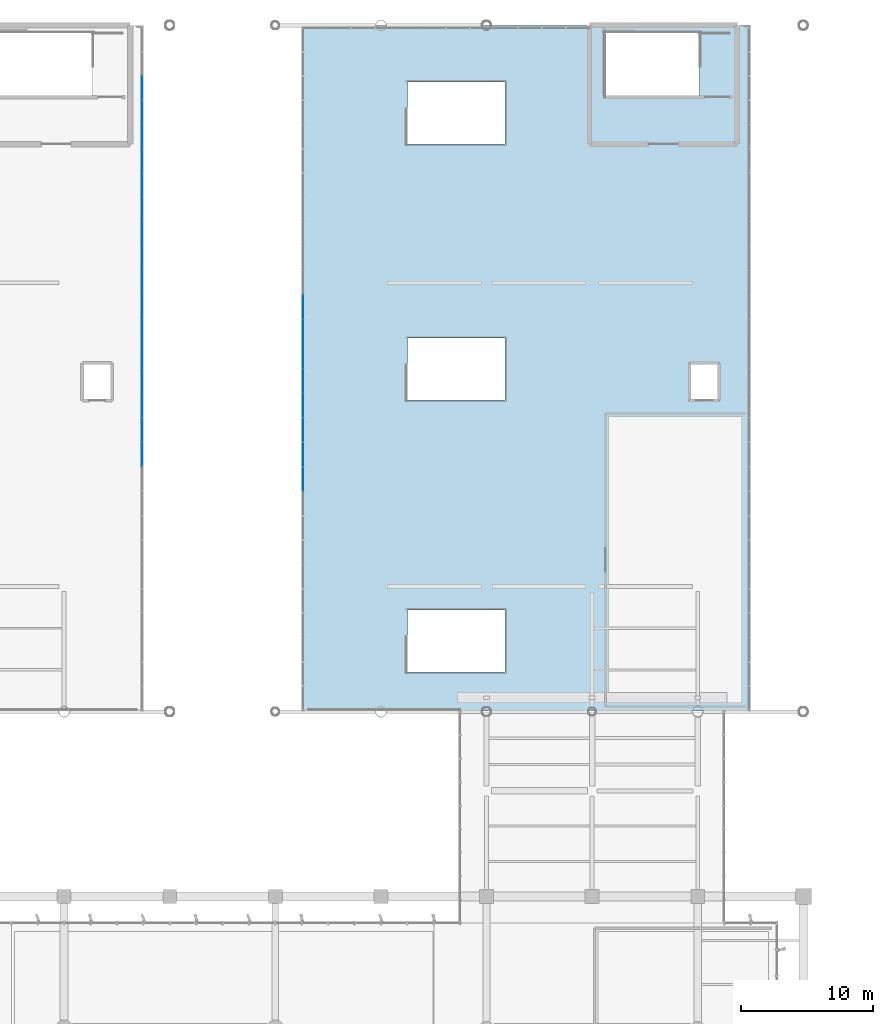
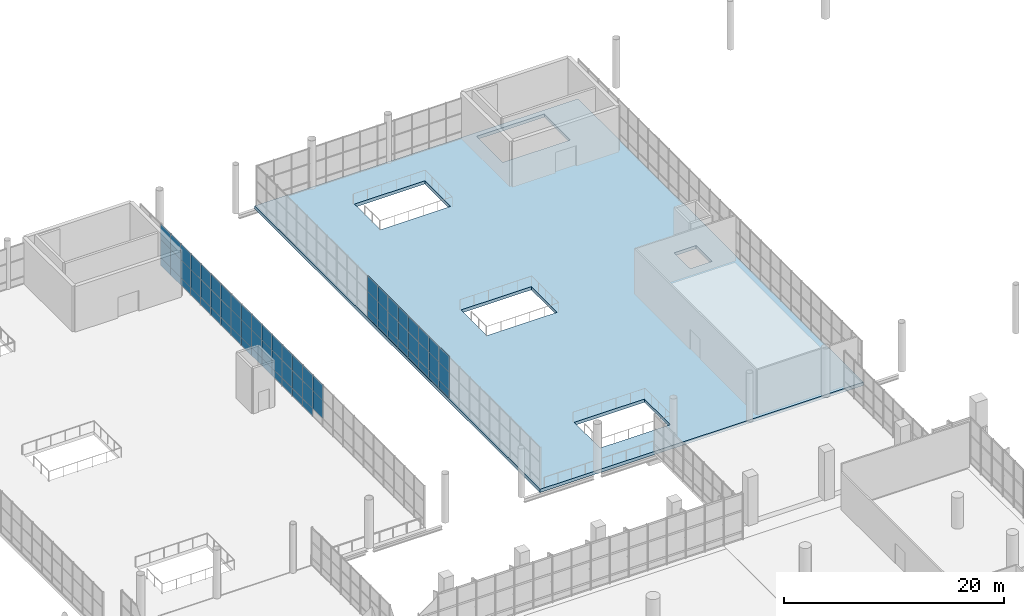
# One storey, part 133 of 176: 71 plates, 1 slab, 5 elements without a shape of their own.
"""IFC4 building model written with IfcOpenShell, lengths in metres."""

from ifc_helpers import new_model, si_unit, direction, frame, origin, origin_2d, place, context, subcontext, project, spatial, polyline, rectangle, outline, extrude, material, layer, layer_set, type_object, element, aggregate, save


model = new_model("IFC4")

# Units and contexts
model_context = context("Model", 3, precision=1e-05, world=origin(), true_north=direction((0.0, 1.0)))
body_context = subcontext(model_context, "Body", "Model", "MODEL_VIEW")
ifc_project = project(units=[si_unit("LENGTHUNIT", "METRE"), si_unit("AREAUNIT", "SQUARE_METRE"), si_unit("VOLUMEUNIT", "CUBIC_METRE"), si_unit("PLANEANGLEUNIT", "RADIAN"), si_unit("MASSUNIT", "GRAM", prefix="KILO")], contexts=[model_context])

# Site, building, storey
site_placement = place(None, origin())
site = spatial("IfcSite", under=ifc_project, at=site_placement, CompositionType="ELEMENT")
building_placement = place(site_placement, origin())
building = spatial("IfcBuilding", under=site, at=building_placement, Name="Khorjan Park Terminus", CompositionType="ELEMENT")
storey_placement = place(building_placement, frame((0.0, 0.0, 6.0)))
storey = spatial("IfcBuildingStorey", under=building, at=storey_placement, Name="L01", CompositionType="ELEMENT", Elevation=6.0)

# Curtain wall, plates
ifc_material_1 = material(Name="Anodized Bronze Aluminium", Category="aluminium")
ifc_layer_1 = layer(ifc_material_1, 0.22)
ifc_layer_set_1 = layer_set([ifc_layer_1], Name="Anodized Bronze Aluminium")
curtain_wall_type = type_object("IfcCurtainWallType", Name="CW-BRG-D", PredefinedType="NOTDEFINED", material=ifc_layer_set_1)
curtain_wall_1_placement = place(storey_placement, origin())
curtain_wall_1 = element("IfcCurtainWall", 1, at=curtain_wall_1_placement, inside=storey, type_object=curtain_wall_type, Name="Unitized curtain wall CW-D (CW-BRW-E-2)", PredefinedType="NOTDEFINED")
ifc_material_2 = material(Name="Low-E Solar Control Double Glazing", Category="glass")
ifc_layer_2 = layer(ifc_material_2, 0.032)
ifc_layer_set_2 = layer_set([ifc_layer_2], Name="Low-E Solar Control Double Glazing")
plate_type_1 = type_object("IfcPlateType", Name="GL-VIS-32", PredefinedType="CURTAIN_PANEL", material=ifc_layer_set_2)
plate_1_placement = place(storey_placement, frame((85.9, 121.5, 0.85), z_axis=(0.0, 0.0, 1.0), x_axis=(0.0, 1.0, 0.0)))
plate_1 = element("IfcPlate", 2, at=plate_1_placement, type_object=plate_type_1, Name="Curtain-wall panel VP-32 (CW-BRW-E-2-3-2)", PredefinedType="CURTAIN_PANEL", context=body_context, shape_type="SweptSolid", body=[
    extrude(rectangle(XDim=1.8571, YDim=0.032, at=origin_2d()), origin(), (0.0, 0.0, 1.0), 2.002),
])
plate_2_placement = place(storey_placement, frame((85.9, 121.5, 2.852), z_axis=(0.0, 0.0, 1.0), x_axis=(0.0, 1.0, 0.0)))
plate_2 = element("IfcPlate", 3, at=plate_2_placement, type_object=plate_type_1, Name="Curtain-wall panel VP-32 (CW-BRW-E-2-3-3)", PredefinedType="CURTAIN_PANEL", context=body_context, shape_type="SweptSolid", body=[
    extrude(rectangle(XDim=1.8571, YDim=0.032, at=origin_2d()), origin(), (0.0, 0.0, 1.0), 1.758),
])
plate_3_placement = place(storey_placement, frame((85.9, 123.3572, 0.85), z_axis=(0.0, 0.0, 1.0), x_axis=(0.0, 1.0, 0.0)))
plate_3 = element("IfcPlate", 4, at=plate_3_placement, type_object=plate_type_1, Name="Curtain-wall panel VP-32 (CW-BRW-E-2-4-2)", PredefinedType="CURTAIN_PANEL", context=body_context, shape_type="SweptSolid", body=[
    extrude(rectangle(XDim=1.8571, YDim=0.032, at=origin_2d()), origin(), (0.0, 0.0, 1.0), 2.002),
])
plate_4_placement = place(storey_placement, frame((85.9, 123.3572, 2.852), z_axis=(0.0, 0.0, 1.0), x_axis=(0.0, 1.0, 0.0)))
plate_4 = element("IfcPlate", 5, at=plate_4_placement, type_object=plate_type_1, Name="Curtain-wall panel VP-32 (CW-BRW-E-2-4-3)", PredefinedType="CURTAIN_PANEL", context=body_context, shape_type="SweptSolid", body=[
    extrude(rectangle(XDim=1.8571, YDim=0.032, at=origin_2d()), origin(), (0.0, 0.0, 1.0), 1.758),
])
plate_5_placement = place(storey_placement, frame((85.9, 125.2143, 0.85), z_axis=(0.0, 0.0, 1.0), x_axis=(0.0, 1.0, 0.0)))
plate_5 = element("IfcPlate", 6, at=plate_5_placement, type_object=plate_type_1, Name="Curtain-wall panel VP-32 (CW-BRW-E-2-5-2)", PredefinedType="CURTAIN_PANEL", context=body_context, shape_type="SweptSolid", body=[
    extrude(rectangle(XDim=1.8571, YDim=0.032, at=origin_2d()), origin(), (0.0, 0.0, 1.0), 2.002),
])
plate_6_placement = place(storey_placement, frame((85.9, 125.2143, 2.852), z_axis=(0.0, 0.0, 1.0), x_axis=(0.0, 1.0, 0.0)))
plate_6 = element("IfcPlate", 7, at=plate_6_placement, type_object=plate_type_1, Name="Curtain-wall panel VP-32 (CW-BRW-E-2-5-3)", PredefinedType="CURTAIN_PANEL", context=body_context, shape_type="SweptSolid", body=[
    extrude(rectangle(XDim=1.8571, YDim=0.032, at=origin_2d()), origin(), (0.0, 0.0, 1.0), 1.758),
])
plate_7_placement = place(storey_placement, frame((85.9, 127.0714, 0.85), z_axis=(0.0, 0.0, 1.0), x_axis=(0.0, 1.0, 0.0)))
plate_7 = element("IfcPlate", 8, at=plate_7_placement, type_object=plate_type_1, Name="Curtain-wall panel VP-32 (CW-BRW-E-2-6-2)", PredefinedType="CURTAIN_PANEL", context=body_context, shape_type="SweptSolid", body=[
    extrude(rectangle(XDim=1.8571, YDim=0.032, at=origin_2d()), origin(), (0.0, 0.0, 1.0), 2.002),
])
plate_8_placement = place(storey_placement, frame((85.9, 127.0714, 2.852), z_axis=(0.0, 0.0, 1.0), x_axis=(0.0, 1.0, 0.0)))
plate_8 = element("IfcPlate", 9, at=plate_8_placement, type_object=plate_type_1, Name="Curtain-wall panel VP-32 (CW-BRW-E-2-6-3)", PredefinedType="CURTAIN_PANEL", context=body_context, shape_type="SweptSolid", body=[
    extrude(rectangle(XDim=1.8571, YDim=0.032, at=origin_2d()), origin(), (0.0, 0.0, 1.0), 1.758),
])

curtain_wall_2_placement = place(storey_placement, origin())
curtain_wall_2 = element("IfcCurtainWall", 10, at=curtain_wall_2_placement, inside=storey, type_object=curtain_wall_type, Name="Unitized curtain wall CW-D (CW-BRW-E-3)", PredefinedType="NOTDEFINED")
plate_9_placement = place(storey_placement, frame((85.9, 128.9286, 0.85), z_axis=(0.0, 0.0, 1.0), x_axis=(0.0, 1.0, 0.0)))
plate_9 = element("IfcPlate", 11, at=plate_9_placement, type_object=plate_type_1, Name="Curtain-wall panel VP-32 (CW-BRW-E-3-0-2)", PredefinedType="CURTAIN_PANEL", context=body_context, shape_type="SweptSolid", body=[
    extrude(rectangle(XDim=1.8571, YDim=0.032, at=origin_2d()), origin(), (0.0, 0.0, 1.0), 2.002),
])
plate_10_placement = place(storey_placement, frame((85.9, 128.9286, 2.852), z_axis=(0.0, 0.0, 1.0), x_axis=(0.0, 1.0, 0.0)))
plate_10 = element("IfcPlate", 12, at=plate_10_placement, type_object=plate_type_1, Name="Curtain-wall panel VP-32 (CW-BRW-E-3-0-3)", PredefinedType="CURTAIN_PANEL", context=body_context, shape_type="SweptSolid", body=[
    extrude(rectangle(XDim=1.8571, YDim=0.032, at=origin_2d()), origin(), (0.0, 0.0, 1.0), 1.758),
])
plate_11_placement = place(storey_placement, frame((85.9, 130.7857, 0.85), z_axis=(0.0, 0.0, 1.0), x_axis=(0.0, 1.0, 0.0)))
plate_11 = element("IfcPlate", 13, at=plate_11_placement, type_object=plate_type_1, Name="Curtain-wall panel VP-32 (CW-BRW-E-3-1-2)", PredefinedType="CURTAIN_PANEL", context=body_context, shape_type="SweptSolid", body=[
    extrude(rectangle(XDim=1.8571, YDim=0.032, at=origin_2d()), origin(), (0.0, 0.0, 1.0), 2.002),
])
plate_12_placement = place(storey_placement, frame((85.9, 130.7857, 2.852), z_axis=(0.0, 0.0, 1.0), x_axis=(0.0, 1.0, 0.0)))
plate_12 = element("IfcPlate", 14, at=plate_12_placement, type_object=plate_type_1, Name="Curtain-wall panel VP-32 (CW-BRW-E-3-1-3)", PredefinedType="CURTAIN_PANEL", context=body_context, shape_type="SweptSolid", body=[
    extrude(rectangle(XDim=1.8571, YDim=0.032, at=origin_2d()), origin(), (0.0, 0.0, 1.0), 1.758),
])
plate_13_placement = place(storey_placement, frame((85.9, 132.6429, 0.85), z_axis=(0.0, 0.0, 1.0), x_axis=(0.0, 1.0, 0.0)))
plate_13 = element("IfcPlate", 15, at=plate_13_placement, type_object=plate_type_1, Name="Curtain-wall panel VP-32 (CW-BRW-E-3-2-2)", PredefinedType="CURTAIN_PANEL", context=body_context, shape_type="SweptSolid", body=[
    extrude(rectangle(XDim=1.8571, YDim=0.032, at=origin_2d()), origin(), (0.0, 0.0, 1.0), 2.002),
])
plate_14_placement = place(storey_placement, frame((85.9, 132.6429, 2.852), z_axis=(0.0, 0.0, 1.0), x_axis=(0.0, 1.0, 0.0)))
plate_14 = element("IfcPlate", 16, at=plate_14_placement, type_object=plate_type_1, Name="Curtain-wall panel VP-32 (CW-BRW-E-3-2-3)", PredefinedType="CURTAIN_PANEL", context=body_context, shape_type="SweptSolid", body=[
    extrude(rectangle(XDim=1.8571, YDim=0.032, at=origin_2d()), origin(), (0.0, 0.0, 1.0), 1.758),
])
plate_15_placement = place(storey_placement, frame((85.9, 134.5, 0.85), z_axis=(0.0, 0.0, 1.0), x_axis=(0.0, 1.0, 0.0)))
plate_15 = element("IfcPlate", 17, at=plate_15_placement, type_object=plate_type_1, Name="Curtain-wall panel VP-32 (CW-BRW-E-3-3-2)", PredefinedType="CURTAIN_PANEL", context=body_context, shape_type="SweptSolid", body=[
    extrude(rectangle(XDim=1.8571, YDim=0.032, at=origin_2d()), origin(), (0.0, 0.0, 1.0), 2.002),
])
plate_16_placement = place(storey_placement, frame((85.9, 134.5, 2.852), z_axis=(0.0, 0.0, 1.0), x_axis=(0.0, 1.0, 0.0)))
plate_16 = element("IfcPlate", 18, at=plate_16_placement, type_object=plate_type_1, Name="Curtain-wall panel VP-32 (CW-BRW-E-3-3-3)", PredefinedType="CURTAIN_PANEL", context=body_context, shape_type="SweptSolid", body=[
    extrude(rectangle(XDim=1.8571, YDim=0.032, at=origin_2d()), origin(), (0.0, 0.0, 1.0), 1.758),
])
plate_17_placement = place(storey_placement, frame((85.9, 136.3571, 0.85), z_axis=(0.0, 0.0, 1.0), x_axis=(0.0, 1.0, 0.0)))
plate_17 = element("IfcPlate", 19, at=plate_17_placement, type_object=plate_type_1, Name="Curtain-wall panel VP-32 (CW-BRW-E-3-4-2)", PredefinedType="CURTAIN_PANEL", context=body_context, shape_type="SweptSolid", body=[
    extrude(rectangle(XDim=1.8571, YDim=0.032, at=origin_2d()), origin(), (0.0, 0.0, 1.0), 2.002),
])
plate_18_placement = place(storey_placement, frame((85.9, 136.3571, 2.852), z_axis=(0.0, 0.0, 1.0), x_axis=(0.0, 1.0, 0.0)))
plate_18 = element("IfcPlate", 20, at=plate_18_placement, type_object=plate_type_1, Name="Curtain-wall panel VP-32 (CW-BRW-E-3-4-3)", PredefinedType="CURTAIN_PANEL", context=body_context, shape_type="SweptSolid", body=[
    extrude(rectangle(XDim=1.8571, YDim=0.032, at=origin_2d()), origin(), (0.0, 0.0, 1.0), 1.758),
])
plate_19_placement = place(storey_placement, frame((85.9, 138.2143, 0.85), z_axis=(0.0, 0.0, 1.0), x_axis=(0.0, 1.0, 0.0)))
plate_19 = element("IfcPlate", 21, at=plate_19_placement, type_object=plate_type_1, Name="Curtain-wall panel VP-32 (CW-BRW-E-3-5-2)", PredefinedType="CURTAIN_PANEL", context=body_context, shape_type="SweptSolid", body=[
    extrude(rectangle(XDim=1.8571, YDim=0.032, at=origin_2d()), origin(), (0.0, 0.0, 1.0), 2.002),
])
plate_20_placement = place(storey_placement, frame((85.9, 138.2143, 2.852), z_axis=(0.0, 0.0, 1.0), x_axis=(0.0, 1.0, 0.0)))
plate_20 = element("IfcPlate", 22, at=plate_20_placement, type_object=plate_type_1, Name="Curtain-wall panel VP-32 (CW-BRW-E-3-5-3)", PredefinedType="CURTAIN_PANEL", context=body_context, shape_type="SweptSolid", body=[
    extrude(rectangle(XDim=1.8571, YDim=0.032, at=origin_2d()), origin(), (0.0, 0.0, 1.0), 1.758),
])
plate_21_placement = place(storey_placement, frame((85.9, 140.0714, 0.85), z_axis=(0.0, 0.0, 1.0), x_axis=(0.0, 1.0, 0.0)))
plate_21 = element("IfcPlate", 23, at=plate_21_placement, type_object=plate_type_1, Name="Curtain-wall panel VP-32 (CW-BRW-E-3-6-2)", PredefinedType="CURTAIN_PANEL", context=body_context, shape_type="SweptSolid", body=[
    extrude(rectangle(XDim=1.8571, YDim=0.032, at=origin_2d()), origin(), (0.0, 0.0, 1.0), 2.002),
])
plate_22_placement = place(storey_placement, frame((85.9, 140.0714, 2.852), z_axis=(0.0, 0.0, 1.0), x_axis=(0.0, 1.0, 0.0)))
plate_22 = element("IfcPlate", 24, at=plate_22_placement, type_object=plate_type_1, Name="Curtain-wall panel VP-32 (CW-BRW-E-3-6-3)", PredefinedType="CURTAIN_PANEL", context=body_context, shape_type="SweptSolid", body=[
    extrude(rectangle(XDim=1.8571, YDim=0.032, at=origin_2d()), origin(), (0.0, 0.0, 1.0), 1.758),
])

curtain_wall_3_placement = place(storey_placement, origin())
curtain_wall_3 = element("IfcCurtainWall", 25, at=curtain_wall_3_placement, inside=storey, type_object=curtain_wall_type, Name="Unitized curtain wall CW-D (CW-BRW-E-4)", PredefinedType="NOTDEFINED")
plate_23_placement = place(storey_placement, frame((85.9, 141.9143, 0.85), z_axis=(0.0, 0.0, 1.0), x_axis=(0.0, 1.0, 0.0)))
plate_23 = element("IfcPlate", 26, at=plate_23_placement, type_object=plate_type_1, Name="Curtain-wall panel VP-32 (CW-BRW-E-4-0-2)", PredefinedType="CURTAIN_PANEL", context=body_context, shape_type="SweptSolid", body=[
    extrude(rectangle(XDim=1.8286, YDim=0.032, at=origin_2d()), origin(), (0.0, 0.0, 1.0), 2.002),
])
plate_24_placement = place(storey_placement, frame((85.9, 141.9143, 2.852), z_axis=(0.0, 0.0, 1.0), x_axis=(0.0, 1.0, 0.0)))
plate_24 = element("IfcPlate", 27, at=plate_24_placement, type_object=plate_type_1, Name="Curtain-wall panel VP-32 (CW-BRW-E-4-0-3)", PredefinedType="CURTAIN_PANEL", context=body_context, shape_type="SweptSolid", body=[
    extrude(rectangle(XDim=1.8286, YDim=0.032, at=origin_2d()), origin(), (0.0, 0.0, 1.0), 1.758),
])
plate_25_placement = place(storey_placement, frame((85.9, 143.7429, 0.85), z_axis=(0.0, 0.0, 1.0), x_axis=(0.0, 1.0, 0.0)))
plate_25 = element("IfcPlate", 28, at=plate_25_placement, type_object=plate_type_1, Name="Curtain-wall panel VP-32 (CW-BRW-E-4-1-2)", PredefinedType="CURTAIN_PANEL", context=body_context, shape_type="SweptSolid", body=[
    extrude(rectangle(XDim=1.8286, YDim=0.032, at=origin_2d()), origin(), (0.0, 0.0, 1.0), 2.002),
])
plate_26_placement = place(storey_placement, frame((85.9, 143.7429, 2.852), z_axis=(0.0, 0.0, 1.0), x_axis=(0.0, 1.0, 0.0)))
plate_26 = element("IfcPlate", 29, at=plate_26_placement, type_object=plate_type_1, Name="Curtain-wall panel VP-32 (CW-BRW-E-4-1-3)", PredefinedType="CURTAIN_PANEL", context=body_context, shape_type="SweptSolid", body=[
    extrude(rectangle(XDim=1.8286, YDim=0.032, at=origin_2d()), origin(), (0.0, 0.0, 1.0), 1.758),
])
plate_27_placement = place(storey_placement, frame((85.9, 145.5714, 0.85), z_axis=(0.0, 0.0, 1.0), x_axis=(0.0, 1.0, 0.0)))
plate_27 = element("IfcPlate", 30, at=plate_27_placement, type_object=plate_type_1, Name="Curtain-wall panel VP-32 (CW-BRW-E-4-2-2)", PredefinedType="CURTAIN_PANEL", context=body_context, shape_type="SweptSolid", body=[
    extrude(rectangle(XDim=1.8286, YDim=0.032, at=origin_2d()), origin(), (0.0, 0.0, 1.0), 2.002),
])
plate_28_placement = place(storey_placement, frame((85.9, 145.5714, 2.852), z_axis=(0.0, 0.0, 1.0), x_axis=(0.0, 1.0, 0.0)))
plate_28 = element("IfcPlate", 31, at=plate_28_placement, type_object=plate_type_1, Name="Curtain-wall panel VP-32 (CW-BRW-E-4-2-3)", PredefinedType="CURTAIN_PANEL", context=body_context, shape_type="SweptSolid", body=[
    extrude(rectangle(XDim=1.8286, YDim=0.032, at=origin_2d()), origin(), (0.0, 0.0, 1.0), 1.758),
])
plate_29_placement = place(storey_placement, frame((85.9, 147.4, 0.85), z_axis=(0.0, 0.0, 1.0), x_axis=(0.0, 1.0, 0.0)))
plate_29 = element("IfcPlate", 32, at=plate_29_placement, type_object=plate_type_1, Name="Curtain-wall panel VP-32 (CW-BRW-E-4-3-2)", PredefinedType="CURTAIN_PANEL", context=body_context, shape_type="SweptSolid", body=[
    extrude(rectangle(XDim=1.8286, YDim=0.032, at=origin_2d()), origin(), (0.0, 0.0, 1.0), 2.002),
])
plate_30_placement = place(storey_placement, frame((85.9, 147.4, 2.852), z_axis=(0.0, 0.0, 1.0), x_axis=(0.0, 1.0, 0.0)))
plate_30 = element("IfcPlate", 33, at=plate_30_placement, type_object=plate_type_1, Name="Curtain-wall panel VP-32 (CW-BRW-E-4-3-3)", PredefinedType="CURTAIN_PANEL", context=body_context, shape_type="SweptSolid", body=[
    extrude(rectangle(XDim=1.8286, YDim=0.032, at=origin_2d()), origin(), (0.0, 0.0, 1.0), 1.758),
])
plate_31_placement = place(storey_placement, frame((85.9, 149.2286, 0.85), z_axis=(0.0, 0.0, 1.0), x_axis=(0.0, 1.0, 0.0)))
plate_31 = element("IfcPlate", 34, at=plate_31_placement, type_object=plate_type_1, Name="Curtain-wall panel VP-32 (CW-BRW-E-4-4-2)", PredefinedType="CURTAIN_PANEL", context=body_context, shape_type="SweptSolid", body=[
    extrude(rectangle(XDim=1.8286, YDim=0.032, at=origin_2d()), origin(), (0.0, 0.0, 1.0), 2.002),
])
plate_32_placement = place(storey_placement, frame((85.9, 149.2286, 2.852), z_axis=(0.0, 0.0, 1.0), x_axis=(0.0, 1.0, 0.0)))
plate_32 = element("IfcPlate", 35, at=plate_32_placement, type_object=plate_type_1, Name="Curtain-wall panel VP-32 (CW-BRW-E-4-4-3)", PredefinedType="CURTAIN_PANEL", context=body_context, shape_type="SweptSolid", body=[
    extrude(rectangle(XDim=1.8286, YDim=0.032, at=origin_2d()), origin(), (0.0, 0.0, 1.0), 1.758),
])

curtain_wall_4_placement = place(storey_placement, origin())
curtain_wall_4 = element("IfcCurtainWall", 36, at=curtain_wall_4_placement, inside=storey, type_object=curtain_wall_type, Name="Unitized curtain wall CW-D (CW-BRE-W-2)", PredefinedType="NOTDEFINED")
plate_33_placement = place(storey_placement, frame((98.1, 127.0714, 0.85), z_axis=(0.0, 0.0, 1.0), x_axis=(0.0, -1.0, 0.0)))
plate_33 = element("IfcPlate", 37, at=plate_33_placement, type_object=plate_type_1, Name="Curtain-wall panel VP-32 (CW-BRE-W-2-0-2)", PredefinedType="CURTAIN_PANEL", context=body_context, shape_type="SweptSolid", body=[
    extrude(rectangle(XDim=1.8571, YDim=0.032, at=origin_2d()), origin(), (0.0, 0.0, 1.0), 2.002),
])
plate_34_placement = place(storey_placement, frame((98.1, 127.0714, 2.852), z_axis=(0.0, 0.0, 1.0), x_axis=(0.0, -1.0, 0.0)))
plate_34 = element("IfcPlate", 38, at=plate_34_placement, type_object=plate_type_1, Name="Curtain-wall panel VP-32 (CW-BRE-W-2-0-3)", PredefinedType="CURTAIN_PANEL", context=body_context, shape_type="SweptSolid", body=[
    extrude(rectangle(XDim=1.8571, YDim=0.032, at=origin_2d()), origin(), (0.0, 0.0, 1.0), 1.758),
])
plate_35_placement = place(storey_placement, frame((98.1, 125.2143, 0.85), z_axis=(0.0, 0.0, 1.0), x_axis=(0.0, -1.0, 0.0)))
plate_35 = element("IfcPlate", 39, at=plate_35_placement, type_object=plate_type_1, Name="Curtain-wall panel VP-32 (CW-BRE-W-2-1-2)", PredefinedType="CURTAIN_PANEL", context=body_context, shape_type="SweptSolid", body=[
    extrude(rectangle(XDim=1.8571, YDim=0.032, at=origin_2d()), origin(), (0.0, 0.0, 1.0), 2.002),
])
plate_36_placement = place(storey_placement, frame((98.1, 125.2143, 2.852), z_axis=(0.0, 0.0, 1.0), x_axis=(0.0, -1.0, 0.0)))
plate_36 = element("IfcPlate", 40, at=plate_36_placement, type_object=plate_type_1, Name="Curtain-wall panel VP-32 (CW-BRE-W-2-1-3)", PredefinedType="CURTAIN_PANEL", context=body_context, shape_type="SweptSolid", body=[
    extrude(rectangle(XDim=1.8571, YDim=0.032, at=origin_2d()), origin(), (0.0, 0.0, 1.0), 1.758),
])
plate_37_placement = place(storey_placement, frame((98.1, 123.3572, 0.85), z_axis=(0.0, 0.0, 1.0), x_axis=(0.0, -1.0, 0.0)))
plate_37 = element("IfcPlate", 41, at=plate_37_placement, type_object=plate_type_1, Name="Curtain-wall panel VP-32 (CW-BRE-W-2-2-2)", PredefinedType="CURTAIN_PANEL", context=body_context, shape_type="SweptSolid", body=[
    extrude(rectangle(XDim=1.8571, YDim=0.032, at=origin_2d()), origin(), (0.0, 0.0, 1.0), 2.002),
])
plate_38_placement = place(storey_placement, frame((98.1, 123.3572, 2.852), z_axis=(0.0, 0.0, 1.0), x_axis=(0.0, -1.0, 0.0)))
plate_38 = element("IfcPlate", 42, at=plate_38_placement, type_object=plate_type_1, Name="Curtain-wall panel VP-32 (CW-BRE-W-2-2-3)", PredefinedType="CURTAIN_PANEL", context=body_context, shape_type="SweptSolid", body=[
    extrude(rectangle(XDim=1.8571, YDim=0.032, at=origin_2d()), origin(), (0.0, 0.0, 1.0), 1.758),
])
plate_39_placement = place(storey_placement, frame((98.1, 121.5, 0.85), z_axis=(0.0, 0.0, 1.0), x_axis=(0.0, -1.0, 0.0)))
plate_39 = element("IfcPlate", 43, at=plate_39_placement, type_object=plate_type_1, Name="Curtain-wall panel VP-32 (CW-BRE-W-2-3-2)", PredefinedType="CURTAIN_PANEL", context=body_context, shape_type="SweptSolid", body=[
    extrude(rectangle(XDim=1.8571, YDim=0.032, at=origin_2d()), origin(), (0.0, 0.0, 1.0), 2.002),
])
plate_40_placement = place(storey_placement, frame((98.1, 121.5, 2.852), z_axis=(0.0, 0.0, 1.0), x_axis=(0.0, -1.0, 0.0)))
plate_40 = element("IfcPlate", 44, at=plate_40_placement, type_object=plate_type_1, Name="Curtain-wall panel VP-32 (CW-BRE-W-2-3-3)", PredefinedType="CURTAIN_PANEL", context=body_context, shape_type="SweptSolid", body=[
    extrude(rectangle(XDim=1.8571, YDim=0.032, at=origin_2d()), origin(), (0.0, 0.0, 1.0), 1.758),
])
plate_41_placement = place(storey_placement, frame((98.1, 119.6428, 0.85), z_axis=(0.0, 0.0, 1.0), x_axis=(0.0, -1.0, 0.0)))
plate_41 = element("IfcPlate", 45, at=plate_41_placement, type_object=plate_type_1, Name="Curtain-wall panel VP-32 (CW-BRE-W-2-4-2)", PredefinedType="CURTAIN_PANEL", context=body_context, shape_type="SweptSolid", body=[
    extrude(rectangle(XDim=1.8571, YDim=0.032, at=origin_2d()), origin(), (0.0, 0.0, 1.0), 2.002),
])
plate_42_placement = place(storey_placement, frame((98.1, 119.6428, 2.852), z_axis=(0.0, 0.0, 1.0), x_axis=(0.0, -1.0, 0.0)))
plate_42 = element("IfcPlate", 46, at=plate_42_placement, type_object=plate_type_1, Name="Curtain-wall panel VP-32 (CW-BRE-W-2-4-3)", PredefinedType="CURTAIN_PANEL", context=body_context, shape_type="SweptSolid", body=[
    extrude(rectangle(XDim=1.8571, YDim=0.032, at=origin_2d()), origin(), (0.0, 0.0, 1.0), 1.758),
])

curtain_wall_5_placement = place(storey_placement, origin())
curtain_wall_5 = element("IfcCurtainWall", 47, at=curtain_wall_5_placement, inside=storey, type_object=curtain_wall_type, Name="Unitized curtain wall CW-D (CW-BRE-W-3)", PredefinedType="NOTDEFINED")
plate_43_placement = place(storey_placement, frame((98.1, 132.6429, 0.85), z_axis=(0.0, 0.0, 1.0), x_axis=(0.0, -1.0, 0.0)))
plate_43 = element("IfcPlate", 48, at=plate_43_placement, type_object=plate_type_1, Name="Curtain-wall panel VP-32 (CW-BRE-W-3-4-2)", PredefinedType="CURTAIN_PANEL", context=body_context, shape_type="SweptSolid", body=[
    extrude(rectangle(XDim=1.8571, YDim=0.032, at=origin_2d()), origin(), (0.0, 0.0, 1.0), 2.002),
])
plate_44_placement = place(storey_placement, frame((98.1, 132.6429, 2.852), z_axis=(0.0, 0.0, 1.0), x_axis=(0.0, -1.0, 0.0)))
plate_44 = element("IfcPlate", 49, at=plate_44_placement, type_object=plate_type_1, Name="Curtain-wall panel VP-32 (CW-BRE-W-3-4-3)", PredefinedType="CURTAIN_PANEL", context=body_context, shape_type="SweptSolid", body=[
    extrude(rectangle(XDim=1.8571, YDim=0.032, at=origin_2d()), origin(), (0.0, 0.0, 1.0), 1.758),
])
plate_45_placement = place(storey_placement, frame((98.1, 130.7857, 0.85), z_axis=(0.0, 0.0, 1.0), x_axis=(0.0, -1.0, 0.0)))
plate_45 = element("IfcPlate", 50, at=plate_45_placement, type_object=plate_type_1, Name="Curtain-wall panel VP-32 (CW-BRE-W-3-5-2)", PredefinedType="CURTAIN_PANEL", context=body_context, shape_type="SweptSolid", body=[
    extrude(rectangle(XDim=1.8571, YDim=0.032, at=origin_2d()), origin(), (0.0, 0.0, 1.0), 2.002),
])
plate_46_placement = place(storey_placement, frame((98.1, 130.7857, 2.852), z_axis=(0.0, 0.0, 1.0), x_axis=(0.0, -1.0, 0.0)))
plate_46 = element("IfcPlate", 51, at=plate_46_placement, type_object=plate_type_1, Name="Curtain-wall panel VP-32 (CW-BRE-W-3-5-3)", PredefinedType="CURTAIN_PANEL", context=body_context, shape_type="SweptSolid", body=[
    extrude(rectangle(XDim=1.8571, YDim=0.032, at=origin_2d()), origin(), (0.0, 0.0, 1.0), 1.758),
])
plate_47_placement = place(storey_placement, frame((98.1, 128.9286, 0.85), z_axis=(0.0, 0.0, 1.0), x_axis=(0.0, -1.0, 0.0)))
plate_47 = element("IfcPlate", 52, at=plate_47_placement, type_object=plate_type_1, Name="Curtain-wall panel VP-32 (CW-BRE-W-3-6-2)", PredefinedType="CURTAIN_PANEL", context=body_context, shape_type="SweptSolid", body=[
    extrude(rectangle(XDim=1.8571, YDim=0.032, at=origin_2d()), origin(), (0.0, 0.0, 1.0), 2.002),
])
plate_48_placement = place(storey_placement, frame((98.1, 128.9286, 2.852), z_axis=(0.0, 0.0, 1.0), x_axis=(0.0, -1.0, 0.0)))
plate_48 = element("IfcPlate", 53, at=plate_48_placement, type_object=plate_type_1, Name="Curtain-wall panel VP-32 (CW-BRE-W-3-6-3)", PredefinedType="CURTAIN_PANEL", context=body_context, shape_type="SweptSolid", body=[
    extrude(rectangle(XDim=1.8571, YDim=0.032, at=origin_2d()), origin(), (0.0, 0.0, 1.0), 1.758),
])

# Slab
ifc_material_3 = material(Name="Concrete C40/50", Category="concrete")
ifc_layer_3 = layer(ifc_material_3, 0.36)
ifc_layer_set_3 = layer_set([ifc_layer_3], Name="Concrete C40/50")
slab_type = type_object("IfcSlabType", Name="SL-FLR-360", PredefinedType="FLOOR", material=ifc_layer_set_3)
slab_placement = place(storey_placement, frame((0.0, 0.0, -0.36)))
element("IfcSlab", 54, at=slab_placement, inside=storey, type_object=slab_type, Name="Structural floor slab FS-36 (L01-BRG-E)", PredefinedType="FLOOR", context=body_context, shape_type="SweptSolid", body=[
    extrude(outline(polyline([(98.0, 154.0), (132.0, 154.0), (132.0, 102.05), (98.0, 102.05), (98.0, 154.0)]), holes=[polyline([(113.4, 105.0), (113.4, 109.7), (106.015, 109.7), (106.015, 105.0), (113.4, 105.0)]), polyline([(113.4, 125.6), (113.4, 130.3), (106.015, 130.3), (106.015, 125.6), (113.4, 125.6)]), polyline([(113.4, 145.0), (113.4, 149.7), (106.015, 149.7), (106.015, 145.0), (113.4, 145.0)]), polyline([(129.65, 125.55), (129.65, 128.45), (127.35, 128.45), (127.35, 125.55), (129.65, 125.55)]), polyline([(128.125, 153.45), (121.0, 153.45), (121.0, 148.69), (128.125, 148.69), (128.125, 153.45)])]), origin(), (0.0, 0.0, 1.0), 0.36),
])

# Plate
ifc_material_4 = material(Name="Insulated Anodized Bronze Spandrel Panel")
ifc_layer_4 = layer(ifc_material_4, 0.045)
ifc_layer_set_4 = layer_set([ifc_layer_4], Name="Insulated Anodized Bronze Spandrel Panel")
plate_type_2 = type_object("IfcPlateType", Name="SP-AL-45", PredefinedType="CURTAIN_PANEL", material=ifc_layer_set_4)
plate_49_placement = place(storey_placement, frame((85.9, 123.3572, -0.01), z_axis=(0.0, 0.0, 1.0), x_axis=(0.0, 1.0, 0.0)))
plate_49 = element("IfcPlate", 55, at=plate_49_placement, type_object=plate_type_2, Name="Curtain-wall panel SP-A45 (CW-BRW-E-2-4-1)", PredefinedType="CURTAIN_PANEL", context=body_context, shape_type="SweptSolid", body=[
    extrude(rectangle(XDim=1.8571, YDim=0.045, at=origin_2d()), origin(), (0.0, 0.0, 1.0), 0.86),
])

plate_50_placement = place(storey_placement, frame((85.9, 125.2143, -0.01), z_axis=(0.0, 0.0, 1.0), x_axis=(0.0, 1.0, 0.0)))
plate_50 = element("IfcPlate", 56, at=plate_50_placement, type_object=plate_type_2, Name="Curtain-wall panel SP-A45 (CW-BRW-E-2-5-1)", PredefinedType="CURTAIN_PANEL", context=body_context, shape_type="SweptSolid", body=[
    extrude(rectangle(XDim=1.8571, YDim=0.045, at=origin_2d()), origin(), (0.0, 0.0, 1.0), 0.86),
])

plate_51_placement = place(storey_placement, frame((85.9, 127.0714, -0.01), z_axis=(0.0, 0.0, 1.0), x_axis=(0.0, 1.0, 0.0)))
plate_51 = element("IfcPlate", 57, at=plate_51_placement, type_object=plate_type_2, Name="Curtain-wall panel SP-A45 (CW-BRW-E-2-6-1)", PredefinedType="CURTAIN_PANEL", context=body_context, shape_type="SweptSolid", body=[
    extrude(rectangle(XDim=1.8571, YDim=0.045, at=origin_2d()), origin(), (0.0, 0.0, 1.0), 0.86),
])

aggregate(curtain_wall_1, [plate_1, plate_2, plate_49, plate_3, plate_4, plate_50, plate_5, plate_6, plate_51, plate_7, plate_8])

plate_52_placement = place(storey_placement, frame((85.9, 128.9286, -0.01), z_axis=(0.0, 0.0, 1.0), x_axis=(0.0, 1.0, 0.0)))
plate_52 = element("IfcPlate", 58, at=plate_52_placement, type_object=plate_type_2, Name="Curtain-wall panel SP-A45 (CW-BRW-E-3-0-1)", PredefinedType="CURTAIN_PANEL", context=body_context, shape_type="SweptSolid", body=[
    extrude(rectangle(XDim=1.8571, YDim=0.045, at=origin_2d()), origin(), (0.0, 0.0, 1.0), 0.86),
])

plate_53_placement = place(storey_placement, frame((85.9, 130.7857, -0.01), z_axis=(0.0, 0.0, 1.0), x_axis=(0.0, 1.0, 0.0)))
plate_53 = element("IfcPlate", 59, at=plate_53_placement, type_object=plate_type_2, Name="Curtain-wall panel SP-A45 (CW-BRW-E-3-1-1)", PredefinedType="CURTAIN_PANEL", context=body_context, shape_type="SweptSolid", body=[
    extrude(rectangle(XDim=1.8571, YDim=0.045, at=origin_2d()), origin(), (0.0, 0.0, 1.0), 0.86),
])

plate_54_placement = place(storey_placement, frame((85.9, 132.6429, -0.01), z_axis=(0.0, 0.0, 1.0), x_axis=(0.0, 1.0, 0.0)))
plate_54 = element("IfcPlate", 60, at=plate_54_placement, type_object=plate_type_2, Name="Curtain-wall panel SP-A45 (CW-BRW-E-3-2-1)", PredefinedType="CURTAIN_PANEL", context=body_context, shape_type="SweptSolid", body=[
    extrude(rectangle(XDim=1.8571, YDim=0.045, at=origin_2d()), origin(), (0.0, 0.0, 1.0), 0.86),
])

plate_55_placement = place(storey_placement, frame((85.9, 134.5, -0.01), z_axis=(0.0, 0.0, 1.0), x_axis=(0.0, 1.0, 0.0)))
plate_55 = element("IfcPlate", 61, at=plate_55_placement, type_object=plate_type_2, Name="Curtain-wall panel SP-A45 (CW-BRW-E-3-3-1)", PredefinedType="CURTAIN_PANEL", context=body_context, shape_type="SweptSolid", body=[
    extrude(rectangle(XDim=1.8571, YDim=0.045, at=origin_2d()), origin(), (0.0, 0.0, 1.0), 0.86),
])

plate_56_placement = place(storey_placement, frame((85.9, 136.3571, -0.01), z_axis=(0.0, 0.0, 1.0), x_axis=(0.0, 1.0, 0.0)))
plate_56 = element("IfcPlate", 62, at=plate_56_placement, type_object=plate_type_2, Name="Curtain-wall panel SP-A45 (CW-BRW-E-3-4-1)", PredefinedType="CURTAIN_PANEL", context=body_context, shape_type="SweptSolid", body=[
    extrude(rectangle(XDim=1.8571, YDim=0.045, at=origin_2d()), origin(), (0.0, 0.0, 1.0), 0.86),
])

plate_57_placement = place(storey_placement, frame((85.9, 138.2143, -0.01), z_axis=(0.0, 0.0, 1.0), x_axis=(0.0, 1.0, 0.0)))
plate_57 = element("IfcPlate", 63, at=plate_57_placement, type_object=plate_type_2, Name="Curtain-wall panel SP-A45 (CW-BRW-E-3-5-1)", PredefinedType="CURTAIN_PANEL", context=body_context, shape_type="SweptSolid", body=[
    extrude(rectangle(XDim=1.8571, YDim=0.045, at=origin_2d()), origin(), (0.0, 0.0, 1.0), 0.86),
])

plate_58_placement = place(storey_placement, frame((85.9, 140.0714, -0.01), z_axis=(0.0, 0.0, 1.0), x_axis=(0.0, 1.0, 0.0)))
plate_58 = element("IfcPlate", 64, at=plate_58_placement, type_object=plate_type_2, Name="Curtain-wall panel SP-A45 (CW-BRW-E-3-6-1)", PredefinedType="CURTAIN_PANEL", context=body_context, shape_type="SweptSolid", body=[
    extrude(rectangle(XDim=1.8571, YDim=0.045, at=origin_2d()), origin(), (0.0, 0.0, 1.0), 0.86),
])

aggregate(curtain_wall_2, [plate_52, plate_9, plate_10, plate_53, plate_11, plate_12, plate_54, plate_13, plate_14, plate_55, plate_15, plate_16, plate_56, plate_17, plate_18, plate_57, plate_19, plate_20, plate_58, plate_21, plate_22])

plate_59_placement = place(storey_placement, frame((85.9, 141.9143, -0.01), z_axis=(0.0, 0.0, 1.0), x_axis=(0.0, 1.0, 0.0)))
plate_59 = element("IfcPlate", 65, at=plate_59_placement, type_object=plate_type_2, Name="Curtain-wall panel SP-A45 (CW-BRW-E-4-0-1)", PredefinedType="CURTAIN_PANEL", context=body_context, shape_type="SweptSolid", body=[
    extrude(rectangle(XDim=1.8286, YDim=0.045, at=origin_2d()), origin(), (0.0, 0.0, 1.0), 0.86),
])

plate_60_placement = place(storey_placement, frame((85.9, 143.7429, -0.01), z_axis=(0.0, 0.0, 1.0), x_axis=(0.0, 1.0, 0.0)))
plate_60 = element("IfcPlate", 66, at=plate_60_placement, type_object=plate_type_2, Name="Curtain-wall panel SP-A45 (CW-BRW-E-4-1-1)", PredefinedType="CURTAIN_PANEL", context=body_context, shape_type="SweptSolid", body=[
    extrude(rectangle(XDim=1.8286, YDim=0.045, at=origin_2d()), origin(), (0.0, 0.0, 1.0), 0.86),
])

plate_61_placement = place(storey_placement, frame((85.9, 145.5714, -0.01), z_axis=(0.0, 0.0, 1.0), x_axis=(0.0, 1.0, 0.0)))
plate_61 = element("IfcPlate", 67, at=plate_61_placement, type_object=plate_type_2, Name="Curtain-wall panel SP-A45 (CW-BRW-E-4-2-1)", PredefinedType="CURTAIN_PANEL", context=body_context, shape_type="SweptSolid", body=[
    extrude(rectangle(XDim=1.8286, YDim=0.045, at=origin_2d()), origin(), (0.0, 0.0, 1.0), 0.86),
])

plate_62_placement = place(storey_placement, frame((85.9, 147.4, -0.01), z_axis=(0.0, 0.0, 1.0), x_axis=(0.0, 1.0, 0.0)))
plate_62 = element("IfcPlate", 68, at=plate_62_placement, type_object=plate_type_2, Name="Curtain-wall panel SP-A45 (CW-BRW-E-4-3-1)", PredefinedType="CURTAIN_PANEL", context=body_context, shape_type="SweptSolid", body=[
    extrude(rectangle(XDim=1.8286, YDim=0.045, at=origin_2d()), origin(), (0.0, 0.0, 1.0), 0.86),
])

plate_63_placement = place(storey_placement, frame((85.9, 149.2286, -0.01), z_axis=(0.0, 0.0, 1.0), x_axis=(0.0, 1.0, 0.0)))
plate_63 = element("IfcPlate", 69, at=plate_63_placement, type_object=plate_type_2, Name="Curtain-wall panel SP-A45 (CW-BRW-E-4-4-1)", PredefinedType="CURTAIN_PANEL", context=body_context, shape_type="SweptSolid", body=[
    extrude(rectangle(XDim=1.8286, YDim=0.045, at=origin_2d()), origin(), (0.0, 0.0, 1.0), 0.86),
])

aggregate(curtain_wall_3, [plate_59, plate_23, plate_24, plate_60, plate_25, plate_26, plate_61, plate_27, plate_28, plate_62, plate_29, plate_30, plate_63, plate_31, plate_32])

plate_64_placement = place(storey_placement, frame((98.1, 127.0714, -0.01), z_axis=(0.0, 0.0, 1.0), x_axis=(0.0, -1.0, 0.0)))
plate_64 = element("IfcPlate", 70, at=plate_64_placement, type_object=plate_type_2, Name="Curtain-wall panel SP-A45 (CW-BRE-W-2-0-1)", PredefinedType="CURTAIN_PANEL", context=body_context, shape_type="SweptSolid", body=[
    extrude(rectangle(XDim=1.8571, YDim=0.045, at=origin_2d()), origin(), (0.0, 0.0, 1.0), 0.86),
])

plate_65_placement = place(storey_placement, frame((98.1, 125.2143, -0.01), z_axis=(0.0, 0.0, 1.0), x_axis=(0.0, -1.0, 0.0)))
plate_65 = element("IfcPlate", 71, at=plate_65_placement, type_object=plate_type_2, Name="Curtain-wall panel SP-A45 (CW-BRE-W-2-1-1)", PredefinedType="CURTAIN_PANEL", context=body_context, shape_type="SweptSolid", body=[
    extrude(rectangle(XDim=1.8571, YDim=0.045, at=origin_2d()), origin(), (0.0, 0.0, 1.0), 0.86),
])

plate_66_placement = place(storey_placement, frame((98.1, 123.3572, -0.01), z_axis=(0.0, 0.0, 1.0), x_axis=(0.0, -1.0, 0.0)))
plate_66 = element("IfcPlate", 72, at=plate_66_placement, type_object=plate_type_2, Name="Curtain-wall panel SP-A45 (CW-BRE-W-2-2-1)", PredefinedType="CURTAIN_PANEL", context=body_context, shape_type="SweptSolid", body=[
    extrude(rectangle(XDim=1.8571, YDim=0.045, at=origin_2d()), origin(), (0.0, 0.0, 1.0), 0.86),
])

plate_67_placement = place(storey_placement, frame((98.1, 121.5, -0.01), z_axis=(0.0, 0.0, 1.0), x_axis=(0.0, -1.0, 0.0)))
plate_67 = element("IfcPlate", 73, at=plate_67_placement, type_object=plate_type_2, Name="Curtain-wall panel SP-A45 (CW-BRE-W-2-3-1)", PredefinedType="CURTAIN_PANEL", context=body_context, shape_type="SweptSolid", body=[
    extrude(rectangle(XDim=1.8571, YDim=0.045, at=origin_2d()), origin(), (0.0, 0.0, 1.0), 0.86),
])

plate_68_placement = place(storey_placement, frame((98.1, 119.6428, -0.01), z_axis=(0.0, 0.0, 1.0), x_axis=(0.0, -1.0, 0.0)))
plate_68 = element("IfcPlate", 74, at=plate_68_placement, type_object=plate_type_2, Name="Curtain-wall panel SP-A45 (CW-BRE-W-2-4-1)", PredefinedType="CURTAIN_PANEL", context=body_context, shape_type="SweptSolid", body=[
    extrude(rectangle(XDim=1.8571, YDim=0.045, at=origin_2d()), origin(), (0.0, 0.0, 1.0), 0.86),
])

aggregate(curtain_wall_4, [plate_64, plate_33, plate_34, plate_65, plate_35, plate_36, plate_66, plate_37, plate_38, plate_67, plate_39, plate_40, plate_68, plate_41, plate_42])

plate_69_placement = place(storey_placement, frame((98.1, 132.6429, -0.01), z_axis=(0.0, 0.0, 1.0), x_axis=(0.0, -1.0, 0.0)))
plate_69 = element("IfcPlate", 75, at=plate_69_placement, type_object=plate_type_2, Name="Curtain-wall panel SP-A45 (CW-BRE-W-3-4-1)", PredefinedType="CURTAIN_PANEL", context=body_context, shape_type="SweptSolid", body=[
    extrude(rectangle(XDim=1.8571, YDim=0.045, at=origin_2d()), origin(), (0.0, 0.0, 1.0), 0.86),
])

plate_70_placement = place(storey_placement, frame((98.1, 130.7857, -0.01), z_axis=(0.0, 0.0, 1.0), x_axis=(0.0, -1.0, 0.0)))
plate_70 = element("IfcPlate", 76, at=plate_70_placement, type_object=plate_type_2, Name="Curtain-wall panel SP-A45 (CW-BRE-W-3-5-1)", PredefinedType="CURTAIN_PANEL", context=body_context, shape_type="SweptSolid", body=[
    extrude(rectangle(XDim=1.8571, YDim=0.045, at=origin_2d()), origin(), (0.0, 0.0, 1.0), 0.86),
])

plate_71_placement = place(storey_placement, frame((98.1, 128.9286, -0.01), z_axis=(0.0, 0.0, 1.0), x_axis=(0.0, -1.0, 0.0)))
plate_71 = element("IfcPlate", 77, at=plate_71_placement, type_object=plate_type_2, Name="Curtain-wall panel SP-A45 (CW-BRE-W-3-6-1)", PredefinedType="CURTAIN_PANEL", context=body_context, shape_type="SweptSolid", body=[
    extrude(rectangle(XDim=1.8571, YDim=0.045, at=origin_2d()), origin(), (0.0, 0.0, 1.0), 0.86),
])

aggregate(curtain_wall_5, [plate_69, plate_43, plate_44, plate_70, plate_45, plate_46, plate_71, plate_47, plate_48])

save(model, "model.ifc")
